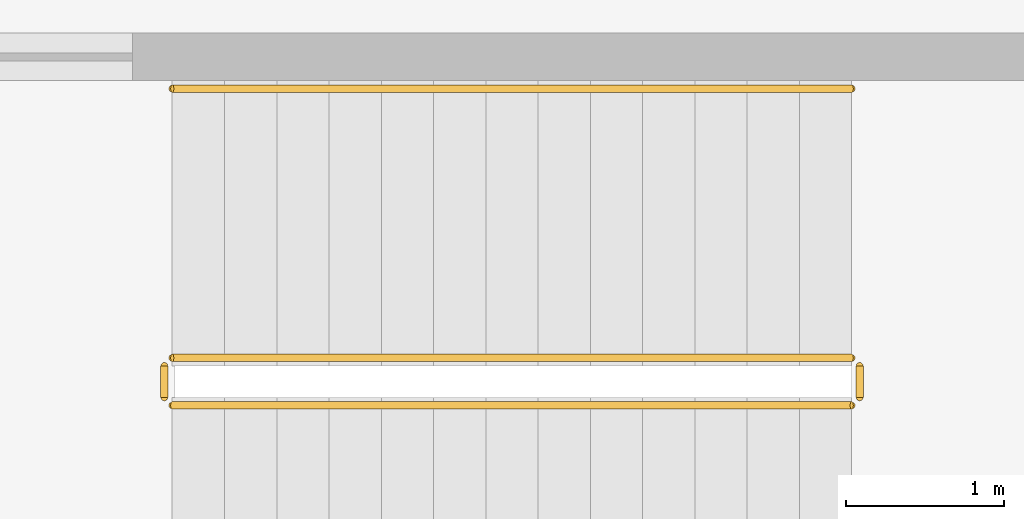
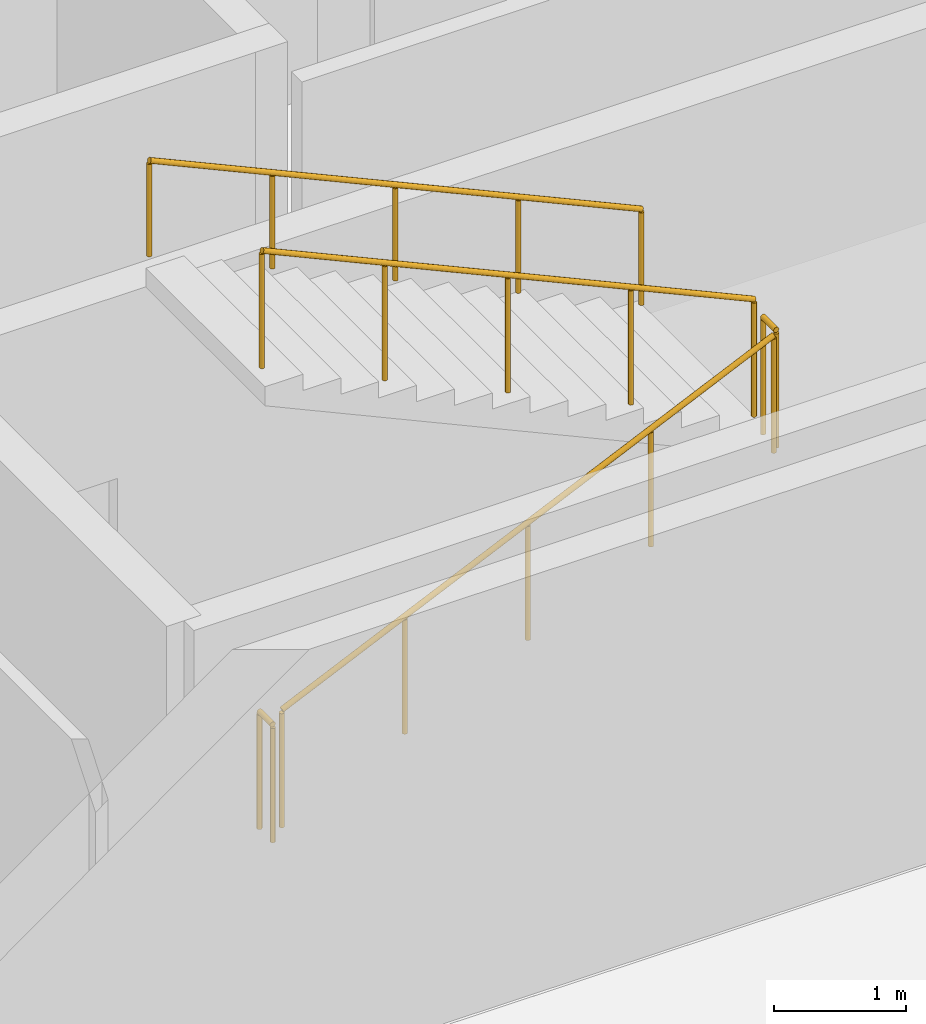
# One storey, part 13 of 14: 5 railings.
"""IFC4 building model written with IfcOpenShell, lengths in metres."""

from ifc_helpers import new_model, si_unit, direction, frame, origin, origin_2d, place, context, subcontext, project, spatial, circle, extrude, material, layer, layer_set, type_object, element, save


model = new_model("IFC4")

# Units and contexts
model_context = context("Model", 3, precision=1e-05, world=origin(), true_north=direction((0.0, 1.0)))
body_context = subcontext(model_context, "Body", "Model", "MODEL_VIEW")
ifc_project = project(units=[si_unit("LENGTHUNIT", "METRE"), si_unit("AREAUNIT", "SQUARE_METRE"), si_unit("VOLUMEUNIT", "CUBIC_METRE"), si_unit("PLANEANGLEUNIT", "RADIAN"), si_unit("MASSUNIT", "GRAM", prefix="KILO")], contexts=[model_context])

# Site, building, storey
site_placement = place(None, origin())
site = spatial("IfcSite", under=ifc_project, at=site_placement, CompositionType="ELEMENT")
building_placement = place(site_placement, origin())
building = spatial("IfcBuilding", under=site, at=building_placement, Name="Malvenik Polytechnic", CompositionType="ELEMENT")
storey_placement = place(building_placement, frame((0.0, 0.0, 21.89990234375)))
storey = spatial("IfcBuildingStorey", under=building, at=storey_placement, Name="L05", CompositionType="ELEMENT", Elevation=21.89990234375)

# Railings
ifc_material_1 = material(Name="Painted galvanised steel stair well balustrade 1100mm", Category="steel")
ifc_layer_1 = layer(ifc_material_1, 0.050048828125)
ifc_layer_set_1 = layer_set([ifc_layer_1], Name="Painted galvanised steel stair well balustrade 1100mm")
railing_type_1 = type_object("IfcRailingType", Name="ARC-RL-STGD", PredefinedType="BALUSTRADE", material=ifc_layer_set_1)
railing_1_placement = place(storey_placement, frame((53.39990234375, 120.89990234375, 0.150146484375)))
element("IfcRailing", 1, at=railing_1_placement, inside=storey, type_object=railing_type_1, Name="L05 ST-02 stair guard 1", PredefinedType="BALUSTRADE", context=body_context, shape_type="SweptSolid", body=[
    extrude(circle(Radius=0.02392578125, at=origin_2d()), frame((0.0, 0.0, 1.076171875), z_axis=(0.910371800137, 0.0, 0.413791234219), x_axis=(0.0, 1.0, 0.0)), (0.0, 0.0, 1.0), 4.71240234375),
    extrude(circle(Radius=0.02099609375, at=origin_2d()), origin(), (0.0, 0.0, 1.0), 1.052001953125),
    extrude(circle(Radius=0.02099609375, at=origin_2d()), frame((1.072509765625, 0.0, 0.487548828125)), (0.0, 0.0, 1.0), 1.052001953125),
    extrude(circle(Radius=0.02099609375, at=origin_2d()), frame((2.14501953125, 0.0, 0.97509765625)), (0.0, 0.0, 1.0), 1.052001953125),
    extrude(circle(Radius=0.02099609375, at=origin_2d()), frame((3.217529296875, 0.0, 1.46240234375)), (0.0, 0.0, 1.0), 1.052001953125),
    extrude(circle(Radius=0.02099609375, at=origin_2d()), frame((4.2900390625, 0.0, 1.949951171875)), (0.0, 0.0, 1.0), 1.052001953125),
])
railing_2_placement = place(storey_placement, frame((57.739990234375, 120.949951171875, 2.10009765625)))
element("IfcRailing", 2, at=railing_2_placement, inside=storey, type_object=railing_type_1, Name="L05 ST-02 stair guard 2", PredefinedType="BALUSTRADE", context=body_context, shape_type="SweptSolid", body=[
    extrude(circle(Radius=0.02392578125, at=origin_2d()), frame((0.0, 0.0, 1.076171875), z_axis=(0.0, 1.0, 0.0), x_axis=(-1.0, 0.0, 0.0)), (0.0, 0.0, 1.0), 0.199951171875),
    extrude(circle(Radius=0.02099609375, at=origin_2d()), origin(), (0.0, 0.0, 1.0), 1.052001953125),
    extrude(circle(Radius=0.02099609375, at=origin_2d()), frame((0.0, 0.199951171875, 0.0)), (0.0, 0.0, 1.0), 1.052001953125),
])
railing_3_placement = place(storey_placement, frame((57.68994140625, 121.199951171875, 2.25)))
element("IfcRailing", 3, at=railing_3_placement, inside=storey, type_object=railing_type_1, Name="L05 ST-02 stair guard 3", PredefinedType="BALUSTRADE", context=body_context, shape_type="SweptSolid", body=[
    extrude(circle(Radius=0.02392578125, at=origin_2d()), frame((0.0, 0.0, 1.076171875), z_axis=(-0.910352283233, 0.0, 0.413834170184), x_axis=(0.0, -1.0, 0.0)), (0.0, 0.0, 1.0), 4.71240234375),
    extrude(circle(Radius=0.02099609375, at=origin_2d()), origin(), (0.0, 0.0, 1.0), 1.052001953125),
    extrude(circle(Radius=0.02099609375, at=origin_2d()), frame((-1.072509765625, 0.0, 0.487548828125)), (0.0, 0.0, 1.0), 1.052001953125),
    extrude(circle(Radius=0.02099609375, at=origin_2d()), frame((-2.14501953125, 0.0, 0.97509765625)), (0.0, 0.0, 1.0), 1.052001953125),
    extrude(circle(Radius=0.02099609375, at=origin_2d()), frame((-3.217529296875, 0.0, 1.462646484375)), (0.0, 0.0, 1.0), 1.052001953125),
    extrude(circle(Radius=0.02099609375, at=origin_2d()), frame((-4.2900390625, 0.0, 1.9501953125)), (0.0, 0.0, 1.0), 1.052001953125),
])
railing_4_placement = place(storey_placement, frame((53.35009765625, 120.949951171875, 0.0)))
element("IfcRailing", 4, at=railing_4_placement, inside=storey, type_object=railing_type_1, Name="L05 ST-02 stair guard 4", PredefinedType="BALUSTRADE", context=body_context, shape_type="SweptSolid", body=[
    extrude(circle(Radius=0.02392578125, at=origin_2d()), frame((0.0, 0.0, 1.076171875), z_axis=(0.0, 1.0, 0.0), x_axis=(-1.0, 0.0, 0.0)), (0.0, 0.0, 1.0), 0.199951171875),
    extrude(circle(Radius=0.02099609375, at=origin_2d()), origin(), (0.0, 0.0, 1.0), 1.052001953125),
    extrude(circle(Radius=0.02099609375, at=origin_2d()), frame((0.0, 0.199951171875, 0.0)), (0.0, 0.0, 1.0), 1.052001953125),
])
ifc_material_2 = material(Name="Brushed stainless steel 1.4301 stair wall handrail", Category="steel")
ifc_layer_2 = layer(ifc_material_2, 0.044921875)
ifc_layer_set_2 = layer_set([ifc_layer_2], Name="Brushed stainless steel 1.4301 stair wall handrail")
railing_type_2 = type_object("IfcRailingType", Name="ARC-RL-STHR", PredefinedType="HANDRAIL", material=ifc_layer_set_2)
railing_5_placement = place(storey_placement, frame((57.68994140625, 122.89990234375, 2.25)))
element("IfcRailing", 5, at=railing_5_placement, inside=storey, type_object=railing_type_2, Name="L05 ST-02 stair handrail 2", PredefinedType="HANDRAIL", context=body_context, shape_type="SweptSolid", body=[
    extrude(circle(Radius=0.02392578125, at=origin_2d()), frame((0.0, 0.0, 0.8759765625), z_axis=(-0.910352283233, 0.0, 0.413834170184), x_axis=(0.0, -1.0, 0.0)), (0.0, 0.0, 1.0), 4.71240234375),
    extrude(circle(Radius=0.02099609375, at=origin_2d()), origin(), (0.0, 0.0, 1.0), 0.851806640625),
    extrude(circle(Radius=0.02099609375, at=origin_2d()), frame((-1.072509765625, 0.0, 0.487548828125)), (0.0, 0.0, 1.0), 0.851806640625),
    extrude(circle(Radius=0.02099609375, at=origin_2d()), frame((-2.14501953125, 0.0, 0.97509765625)), (0.0, 0.0, 1.0), 0.851806640625),
    extrude(circle(Radius=0.02099609375, at=origin_2d()), frame((-3.217529296875, 0.0, 1.462646484375)), (0.0, 0.0, 1.0), 0.851806640625),
    extrude(circle(Radius=0.02099609375, at=origin_2d()), frame((-4.2900390625, 0.0, 1.9501953125)), (0.0, 0.0, 1.0), 0.851806640625),
])

save(model, "model.ifc")
